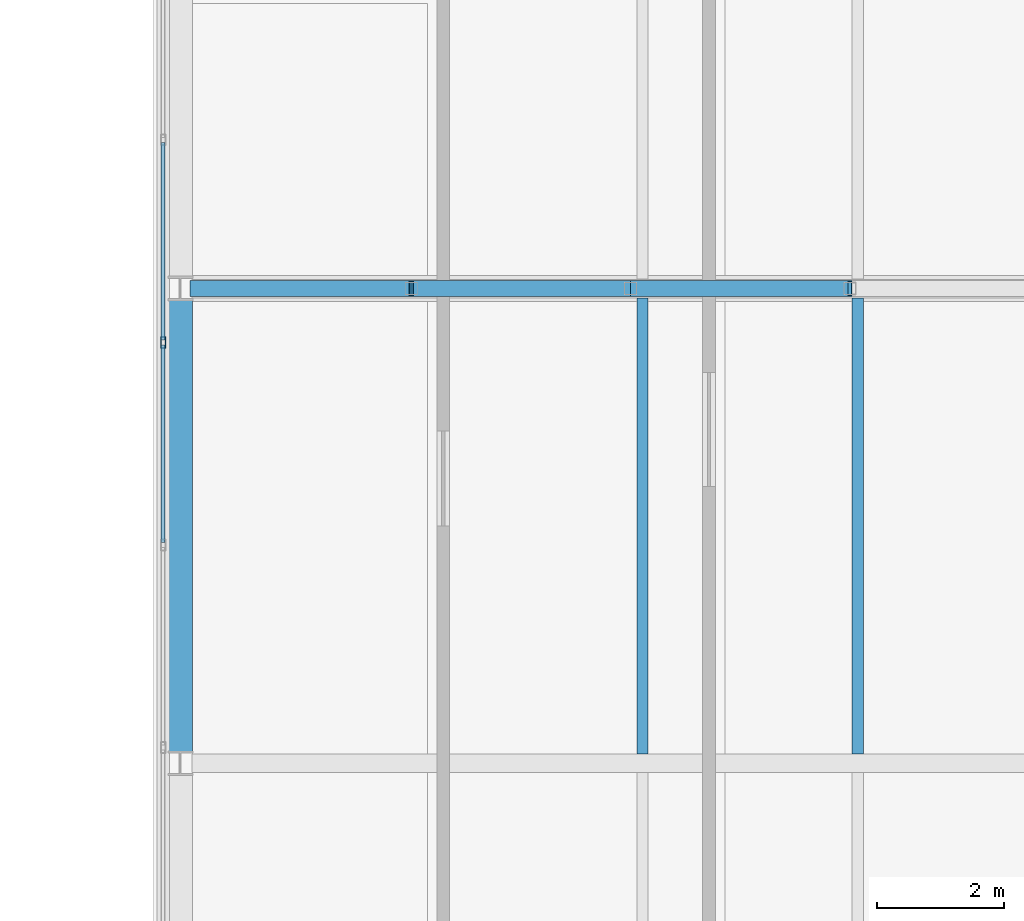
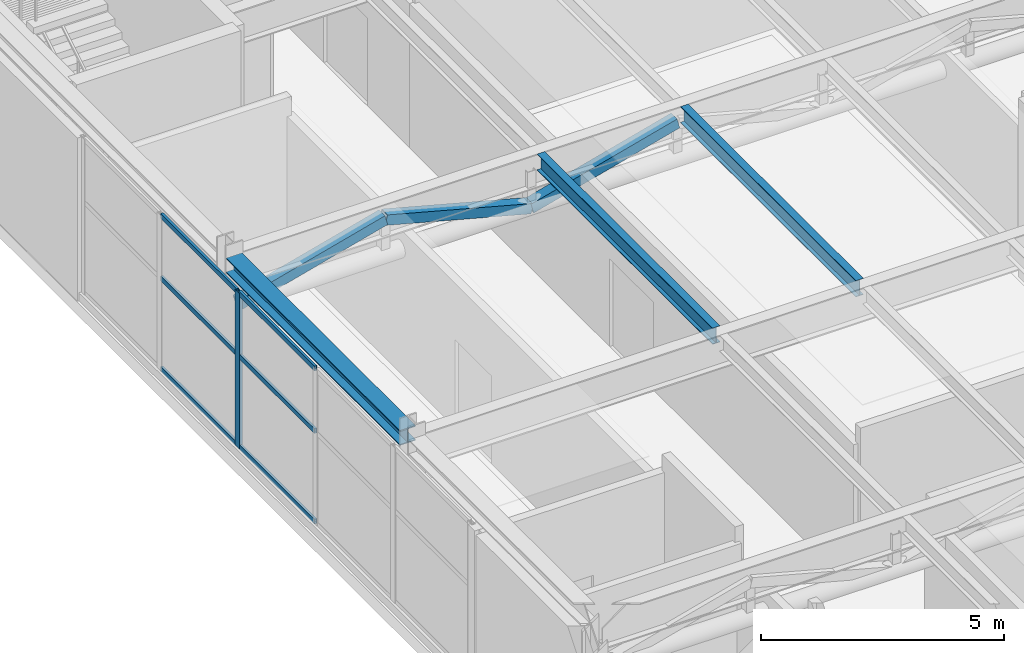
# One storey, part 9 of 29: 10 members, 3 beams, 1 element without a shape of its own.
"""IFC4 building model written with IfcOpenShell, lengths in metres."""

from ifc_helpers import new_model, si_unit, direction, frame, origin, origin_2d, place, context, subcontext, project, spatial, hollow_rectangle, i_section, extrude, material, layer, layer_set, material_profile, profile_set, type_object, element, aggregate, save


model = new_model("IFC4")

# Units and contexts
model_context = context("Model", 3, precision=1e-05, world=origin(), true_north=direction((0.0, 1.0)))
body_context = subcontext(model_context, "Body", "Model", "MODEL_VIEW")
ifc_project = project(units=[si_unit("LENGTHUNIT", "METRE"), si_unit("AREAUNIT", "SQUARE_METRE"), si_unit("VOLUMEUNIT", "CUBIC_METRE"), si_unit("PLANEANGLEUNIT", "RADIAN"), si_unit("MASSUNIT", "GRAM", prefix="KILO")], contexts=[model_context])

# Site, building, storey
site_placement = place(None, origin())
site = spatial("IfcSite", under=ifc_project, at=site_placement, CompositionType="ELEMENT")
building_placement = place(site_placement, origin())
building = spatial("IfcBuilding", under=site, at=building_placement, Name="Mersakhor Tower and Convention Hall", CompositionType="ELEMENT")
storey_placement = place(building_placement, frame((0.0, 0.0, 9.60009765625)))
storey = spatial("IfcBuildingStorey", under=building, at=storey_placement, Name="L02", CompositionType="ELEMENT", Elevation=9.60009765625)

# Beams
ifc_material_1 = material(Name="Steel S355", Category="steel")
ifc_material_profile_1 = material_profile(ifc_material_1, i_section(OverallWidth=0.1787109375, OverallDepth=0.409423828125, WebThickness=0.0087890625, FlangeThickness=0.014404296875, at=origin_2d()), Name="UB 406x178x67")
ifc_profile_set_1 = profile_set([ifc_material_profile_1], Name="Steel S355")
beam_type_1 = type_object("IfcBeamType", Name="BM-JST-406", PredefinedType="JOIST", material=ifc_profile_set_1)
for number, where, z_axis, x_axis, name in (
    (1, (62.800048828125, 25.89697265625, 4.275146484375), (0.0, 1.0, 0.0), (-1.0, 0.0, 0.0), "Convention L02 Composite Floor Joist CJ-4-62"),
    (2, (66.199951171875, 25.89697265625, 4.275146484375), (0.0, 1.0, 0.0), (-1.0, 0.0, 0.0), "Convention L02 Composite Floor Joist CJ-4-66"),
):
    element("IfcBeam", number, at=place(storey_placement, frame(where, z_axis=z_axis, x_axis=x_axis)), inside=storey, type_object=beam_type_1, Name=name, PredefinedType="JOIST", context=body_context, shape_type="SweptSolid", body=[
        extrude(i_section(OverallWidth=0.1787109375, OverallDepth=0.409423828125, WebThickness=0.0087890625, FlangeThickness=0.014404296875, at=origin_2d()), origin(), (0.0, 0.0, 1.0), 7.2060546875),
    ])
ifc_material_2 = material(Name="Steel S355", Category="steel")
ifc_material_profile_2 = material_profile(ifc_material_2, i_section(OverallWidth=0.374755859375, OverallDepth=0.37451171875, WebThickness=0.0166015625, FlangeThickness=0.027099609375, at=origin_2d()), Name="UC 356x368x202")
ifc_profile_set_2 = profile_set([ifc_material_profile_2], Name="Steel S355")
beam_type_2 = type_object("IfcBeamType", Name="BM-SPD-UC356", PredefinedType="SPANDREL", material=ifc_profile_set_2)
beam_placement = place(storey_placement, frame((55.5, 25.929931640625, 4.29296875), z_axis=(0.0, 1.0, 0.0), x_axis=(-1.0, 0.0, 0.0)))
element("IfcBeam", 3, at=beam_placement, inside=storey, type_object=beam_type_2, Name="Convention L02 Edge Spandrel W4", PredefinedType="SPANDREL", context=body_context, shape_type="SweptSolid", body=[
    extrude(i_section(OverallWidth=0.374755859375, OverallDepth=0.37451171875, WebThickness=0.0166015625, FlangeThickness=0.027099609375, at=origin_2d()), origin(), (0.0, 0.0, 1.0), 7.14013671875),
])

# Curtain wall, members
ifc_material_3 = material(Name="Dark solar low-E aluminium curtain wall", Category="aluminium")
ifc_layer = layer(ifc_material_3, 0.219970703125)
ifc_layer_set = layer_set([ifc_layer], Name="Dark solar low-E aluminium curtain wall")
curtain_wall_type = type_object("IfcCurtainWallType", Name="CW-SYS-07", PredefinedType="USERDEFINED", material=ifc_layer_set)
curtain_wall_placement = place(storey_placement, origin())
curtain_wall = element("IfcCurtainWall", 4, at=curtain_wall_placement, inside=storey, type_object=curtain_wall_type, Name="Convention L02 West Curtain Wall", ObjectType="CURTAIN WALL", PredefinedType="USERDEFINED")
ifc_material_4 = material(Name="Anodised aluminium EN AW-6063 T6", Category="aluminium")
ifc_material_profile_3 = material_profile(ifc_material_4, hollow_rectangle(XDim=0.080078125, YDim=0.179931640625, WallThickness=0.008056640625, at=origin_2d()), Name="RHS 180x80x8")
ifc_profile_set_3 = profile_set([ifc_material_profile_3], Name="Anodised aluminium EN AW-6063 T6")
member_type_1 = type_object("IfcMemberType", Name="CWM-180x80", PredefinedType="MULLION", material=ifc_profile_set_3)
member_1_placement = place(storey_placement, frame((55.22509765625, 32.39990234375, 0.199951171875), z_axis=(0.0, 0.0, 1.0), x_axis=(-1.0, 0.0, 0.0)))
member_1 = element("IfcMember", 5, at=member_1_placement, type_object=member_type_1, Name="CW-07 mullion 4", PredefinedType="MULLION", context=body_context, shape_type="SweptSolid", body=[
    extrude(hollow_rectangle(XDim=0.080078125, YDim=0.179931640625, WallThickness=0.008056640625, at=origin_2d()), origin(), (0.0, 0.0, 1.0), 3.89990234375),
])
ifc_material_5 = material(Name="Anodised aluminium EN AW-6063 T6", Category="aluminium")
ifc_material_profile_4 = material_profile(ifc_material_5, hollow_rectangle(XDim=0.06005859375, YDim=0.1201171875, WallThickness=0.0048828125, at=origin_2d()), Name="RHS 120x60x5")
ifc_profile_set_4 = profile_set([ifc_material_profile_4], Name="Anodised aluminium EN AW-6063 T6")
member_type_2 = type_object("IfcMemberType", Name="CWT-120x60", PredefinedType="USERDEFINED", material=ifc_profile_set_4)
member_2_placement = place(storey_placement, frame((55.22509765625, 29.239990234375, 0.22998046875), z_axis=(0.0, 1.0, 0.0), x_axis=(-1.0, 0.0, 0.0)))
member_2 = element("IfcMember", 6, at=member_2_placement, type_object=member_type_2, Name="CW-07 transom 3.1", ObjectType="TRANSOM", PredefinedType="USERDEFINED", context=body_context, shape_type="SweptSolid", body=[
    extrude(hollow_rectangle(XDim=0.06005859375, YDim=0.1201171875, WallThickness=0.0048828125, at=origin_2d()), origin(), (0.0, 0.0, 1.0), 3.1201171875),
])
member_3_placement = place(storey_placement, frame((55.22509765625, 29.239990234375, 2.5), z_axis=(0.0, 1.0, 0.0), x_axis=(-1.0, 0.0, 0.0)))
member_3 = element("IfcMember", 7, at=member_3_placement, type_object=member_type_2, Name="CW-07 transom 3.2", ObjectType="TRANSOM", PredefinedType="USERDEFINED", context=body_context, shape_type="SweptSolid", body=[
    extrude(hollow_rectangle(XDim=0.06005859375, YDim=0.1201171875, WallThickness=0.0048828125, at=origin_2d()), origin(), (0.0, 0.0, 1.0), 3.1201171875),
])
member_4_placement = place(storey_placement, frame((55.22509765625, 29.239990234375, 4.06982421875), z_axis=(0.0, 1.0, 0.0), x_axis=(-1.0, 0.0, 0.0)))
member_4 = element("IfcMember", 8, at=member_4_placement, type_object=member_type_2, Name="CW-07 transom 3.3", ObjectType="TRANSOM", PredefinedType="USERDEFINED", context=body_context, shape_type="SweptSolid", body=[
    extrude(hollow_rectangle(XDim=0.06005859375, YDim=0.1201171875, WallThickness=0.0048828125, at=origin_2d()), origin(), (0.0, 0.0, 1.0), 3.1201171875),
])
member_5_placement = place(storey_placement, frame((55.22509765625, 32.43994140625, 0.22998046875), z_axis=(0.0, 1.0, 0.0), x_axis=(-1.0, 0.0, 0.0)))
member_5 = element("IfcMember", 9, at=member_5_placement, type_object=member_type_2, Name="CW-07 transom 4.1", ObjectType="TRANSOM", PredefinedType="USERDEFINED", context=body_context, shape_type="SweptSolid", body=[
    extrude(hollow_rectangle(XDim=0.06005859375, YDim=0.1201171875, WallThickness=0.0048828125, at=origin_2d()), origin(), (0.0, 0.0, 1.0), 3.1201171875),
])
member_6_placement = place(storey_placement, frame((55.22509765625, 32.43994140625, 2.5), z_axis=(0.0, 1.0, 0.0), x_axis=(-1.0, 0.0, 0.0)))
member_6 = element("IfcMember", 10, at=member_6_placement, type_object=member_type_2, Name="CW-07 transom 4.2", ObjectType="TRANSOM", PredefinedType="USERDEFINED", context=body_context, shape_type="SweptSolid", body=[
    extrude(hollow_rectangle(XDim=0.06005859375, YDim=0.1201171875, WallThickness=0.0048828125, at=origin_2d()), origin(), (0.0, 0.0, 1.0), 3.1201171875),
])
member_7_placement = place(storey_placement, frame((55.22509765625, 32.43994140625, 4.06982421875), z_axis=(0.0, 1.0, 0.0), x_axis=(-1.0, 0.0, 0.0)))
member_7 = element("IfcMember", 11, at=member_7_placement, type_object=member_type_2, Name="CW-07 transom 4.3", ObjectType="TRANSOM", PredefinedType="USERDEFINED", context=body_context, shape_type="SweptSolid", body=[
    extrude(hollow_rectangle(XDim=0.06005859375, YDim=0.1201171875, WallThickness=0.0048828125, at=origin_2d()), origin(), (0.0, 0.0, 1.0), 3.1201171875),
])
aggregate(curtain_wall, [member_1, member_2, member_3, member_4, member_5, member_6, member_7])

# Members
ifc_material_6 = material(Name="Steel S355", Category="steel")
ifc_material_profile_5 = material_profile(ifc_material_6, hollow_rectangle(XDim=0.25, YDim=0.25, WallThickness=0.01611328125, at=origin_2d()), Name="SHS 250x250x16")
ifc_profile_set_5 = profile_set([ifc_material_profile_5], Name="Steel S355")
member_type_3 = type_object("IfcMemberType", Name="MB-BRC-SHS250", PredefinedType="BRACE", material=ifc_profile_set_5)
for number, where, z_axis, x_axis, name in (
    (12, (55.679931640625, 33.25, 3.1298828125), (0.966197643238, 0.0, 0.257802471285), (0.0, 1.0, 0.0), "Convention L02 Truss Web Diagonal TD-5-1"),
    (13, (59.14501953125, 33.25, 4.054443359375), (0.966197643238, 0.0, -0.257802471285), (0.0, 1.0, 0.0), "Convention L02 Truss Web Diagonal TD-5-2"),
):
    element("IfcMember", number, at=place(storey_placement, frame(where, z_axis=z_axis, x_axis=x_axis)), inside=storey, type_object=member_type_3, Name=name, PredefinedType="BRACE", context=body_context, shape_type="SweptSolid", body=[
        extrude(hollow_rectangle(XDim=0.25, YDim=0.25, WallThickness=0.01611328125, at=origin_2d()), origin(), (0.0, 0.0, 1.0), 3.58642578125),
    ])
member_8_placement = place(storey_placement, frame((62.610107421875, 33.25, 3.1298828125), z_axis=(0.966193118341, 0.0, 0.257819429196), x_axis=(0.0, 1.0, 0.0)))
element("IfcMember", 14, at=member_8_placement, inside=storey, type_object=member_type_3, Name="Convention L02 Truss Web Diagonal TD-5-3", PredefinedType="BRACE", context=body_context, shape_type="SweptSolid", body=[
    extrude(hollow_rectangle(XDim=0.25, YDim=0.25, WallThickness=0.01611328125, at=origin_2d()), origin(), (0.0, 0.0, 1.0), 3.586181640625),
])

save(model, "model.ifc")
